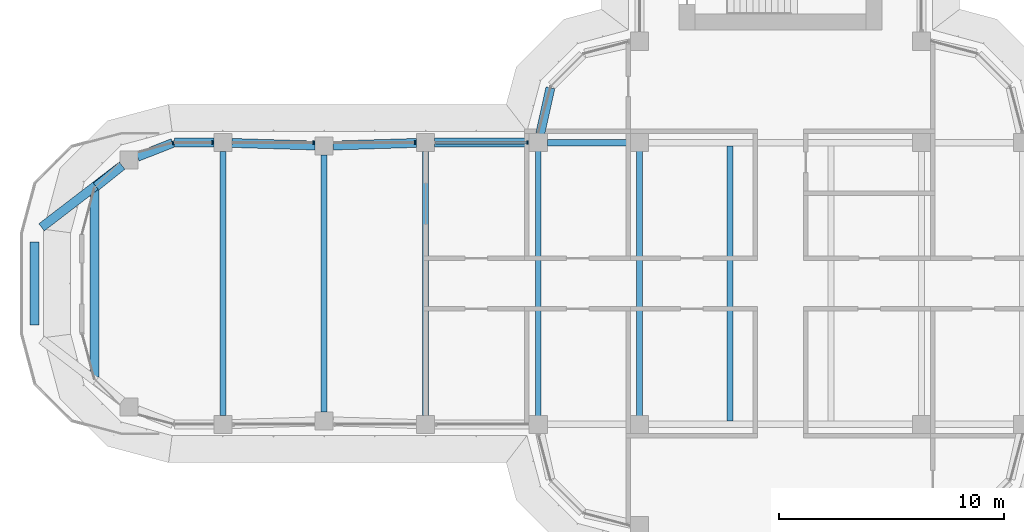
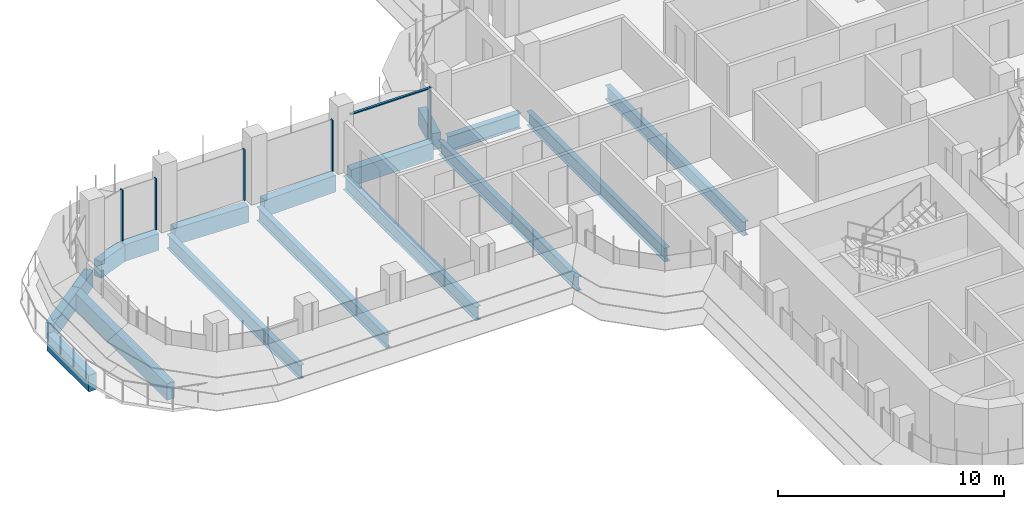
# One storey, part 6 of 20: 17 beams, 6 members, 2 elements without a shape of their own.
"""IFC4 building model written with IfcOpenShell, lengths in metres."""

import ifcopenshell
import ifcopenshell.guid

model = None  # the IFC model being written
_history = None  # IfcOwnerHistory: only IFC2X3 demands one
_inside = {}  # id of a spatial element -> (the spatial element, [elements in it])
_under = {}  # id of a project, library or spatial element -> (it, [spatial elements below it])
_declared = {}  # id of a project -> (the project, [libraries it declares])
_typed = {}  # id of a type object -> (the type object, [elements of that type])
_made_of = {}  # id of a material, layer set ... -> (it, [elements and type objects made of it])


def new_model(schema):
    """Start an empty IFC model of exactly this schema.

    Asked for "IFC4X3", IfcOpenShell would pick the latest addendum, in which some entities
    have other attributes; the version numbers below select the first issue.
    IFC2X3 requires an IfcOwnerHistory on every rooted entity: one is made here for all.
    """
    global model, _history
    if schema == "IFC4X3":
        model = ifcopenshell.file(schema_version=(4, 3, 0, 0))
    else:
        model = ifcopenshell.file(schema=schema)
    _inside.clear()
    _under.clear()
    _declared.clear()
    _typed.clear()
    _made_of.clear()
    _history = None
    if model.schema == "IFC2X3":
        org = make("IfcOrganization", Name="unknown")
        user = make(
            "IfcPersonAndOrganization",
            ThePerson=make("IfcPerson", FamilyName="unknown"),
            TheOrganization=org,
        )
        app = make(
            "IfcApplication",
            ApplicationDeveloper=org,
            Version="unknown",
            ApplicationFullName="unknown",
            ApplicationIdentifier="unknown",
        )
        _history = make(
            "IfcOwnerHistory",
            OwningUser=user,
            OwningApplication=app,
            ChangeAction="ADDED",
            CreationDate=0,
        )
    return model


def make(cls, **values):
    """One entity of the class cls with the attributes given. An attribute that is None is left unset."""
    return model.create_entity(
        cls, **{name: value for name, value in values.items() if value is not None}
    )


def rooted(cls, **values):
    """An entity with a GlobalId (a new one), such as an element, a storey or a relation."""
    return make(cls, GlobalId=ifcopenshell.guid.new(), OwnerHistory=_history, **values)


def si_unit(unit_type, name, prefix=None):
    """IfcSIUnit, for example si_unit("LENGTHUNIT", "METRE", prefix="MILLI")."""
    return make("IfcSIUnit", UnitType=unit_type, Prefix=prefix, Name=name)


def assignment(units):
    """IfcUnitAssignment: the units of a project."""
    return None if units is None else make("IfcUnitAssignment", Units=units)


def point(xyz):
    """IfcCartesianPoint."""
    return None if xyz is None else make("IfcCartesianPoint", Coordinates=xyz)


def direction(xyz):
    """IfcDirection."""
    return None if xyz is None else make("IfcDirection", DirectionRatios=xyz)


def frame(location, z_axis=None, x_axis=None):
    """IfcAxis2Placement3D, a coordinate frame: its origin and axes. An axis left out is left unset."""
    return make(
        "IfcAxis2Placement3D",
        Location=point(location),
        Axis=direction(z_axis),
        RefDirection=direction(x_axis),
    )


def frame_2d(location, x_axis=None):
    """IfcAxis2Placement2D, a coordinate frame in the plane: its origin and x axis."""
    return make(
        "IfcAxis2Placement2D", Location=point(location), RefDirection=direction(x_axis)
    )


def origin():
    """The frame at (0, 0, 0) with its axes left unset."""
    return frame((0.0, 0.0, 0.0))


def origin_2d():
    """The frame at (0, 0) in the plane with its x axis left unset."""
    return frame_2d((0.0, 0.0))


def place(relative_to, where):
    """IfcLocalPlacement: puts the frame where relative to a parent placement (None: the world)."""
    return make(
        "IfcLocalPlacement", PlacementRelTo=relative_to, RelativePlacement=where
    )


def context(
    kind, dimensions, precision=None, world=None, true_north=None, identifier=None
):
    """IfcGeometricRepresentationContext, for example the 3D "Model" context."""
    return make(
        "IfcGeometricRepresentationContext",
        ContextIdentifier=identifier,
        ContextType=kind,
        CoordinateSpaceDimension=dimensions,
        Precision=precision,
        WorldCoordinateSystem=world,
        TrueNorth=true_north,
    )


def subcontext(parent, identifier, kind, view, scale=None):
    """IfcGeometricRepresentationSubContext, for example "Body" below "Model"."""
    return make(
        "IfcGeometricRepresentationSubContext",
        ContextIdentifier=identifier,
        ContextType=kind,
        ParentContext=parent,
        TargetScale=scale,
        TargetView=view,
    )


def project(units=None, contexts=None):
    """IfcProject with its units and contexts."""
    return rooted(
        "IfcProject",
        Name="project",
        RepresentationContexts=contexts,
        UnitsInContext=assignment(units),
    )


def spatial(cls, under=None, at=None, **own):
    """A site, building, storey or space (cls), placed at a placement, below another one or the project."""
    s = rooted(cls, ObjectPlacement=at, **own)
    if under is not None:
        _under.setdefault(under.id(), (under, []))[1].append(s)
    return s


def polyline(points):
    """IfcPolyline through the points."""
    return make("IfcPolyline", Points=[point(p) for p in points])


def profile(cls, at=None, kind="AREA", **sizes):
    """A parametric profile (cls). Its sizes go by their IFC names, for example OverallWidth=200.0."""
    return make(cls, ProfileType=kind, Position=at, **sizes)


def rectangle(**sizes):
    """IfcRectangleProfileDef."""
    return profile("IfcRectangleProfileDef", **sizes)


def i_section(**sizes):
    """IfcIShapeProfileDef."""
    return profile("IfcIShapeProfileDef", **sizes)


def outline(outer, holes=None, kind="AREA"):
    """IfcArbitraryClosedProfileDef: a profile drawn as a closed curve; with holes, ...WithVoids."""
    if holes is None:
        return make("IfcArbitraryClosedProfileDef", ProfileType=kind, OuterCurve=outer)
    return make(
        "IfcArbitraryProfileDefWithVoids",
        ProfileType=kind,
        OuterCurve=outer,
        InnerCurves=holes,
    )


def extrude(swept, where, along, depth):
    """IfcExtrudedAreaSolid: the profile swept, set in the frame where, extruded along a direction by depth."""
    return make(
        "IfcExtrudedAreaSolid",
        SweptArea=swept,
        Position=where,
        ExtrudedDirection=direction(along),
        Depth=depth,
    )


def shape(context_of_items, identifier, shape_type, items):
    """IfcShapeRepresentation: the items that make up one representation, for example the "Body"."""
    return make(
        "IfcShapeRepresentation",
        ContextOfItems=context_of_items,
        RepresentationIdentifier=identifier,
        RepresentationType=shape_type,
        Items=items,
    )


def source(mapping_origin, context_of_items, identifier, shape_type, items):
    """IfcRepresentationMap: a shape defined once, which mapped items show again and again."""
    return make(
        "IfcRepresentationMap",
        MappingOrigin=mapping_origin,
        MappedRepresentation=shape(context_of_items, identifier, shape_type, items),
    )


def transform(
    local_origin,
    x_axis=None,
    y_axis=None,
    z_axis=None,
    scale=None,
    scale2=None,
    scale3=None,
    uniform=True,
):
    """IfcCartesianTransformationOperator3D, or its non-uniform kind. x_axis, y_axis, z_axis: its Axis1, 2, 3."""
    if uniform:
        return make(
            "IfcCartesianTransformationOperator3D",
            Axis1=direction(x_axis),
            Axis2=direction(y_axis),
            LocalOrigin=point(local_origin),
            Scale=scale,
            Axis3=direction(z_axis),
        )
    return make(
        "IfcCartesianTransformationOperator3DnonUniform",
        Axis1=direction(x_axis),
        Axis2=direction(y_axis),
        LocalOrigin=point(local_origin),
        Scale=scale,
        Axis3=direction(z_axis),
        Scale2=scale2,
        Scale3=scale3,
    )


def mapped(mapping_source, mapping_target):
    """IfcMappedItem: shows the shape of a source again, moved by a transform."""
    return make(
        "IfcMappedItem", MappingSource=mapping_source, MappingTarget=mapping_target
    )


def material(Name=None, Category=None):
    """IfcMaterial."""
    return make("IfcMaterial", Name=Name, Category=Category)


def material_profile(
    of_material, cross_section, Name=None, Category=None, Priority=None
):
    """IfcMaterialProfile: a cross section and its material."""
    return make(
        "IfcMaterialProfile",
        Name=Name,
        Material=of_material,
        Profile=cross_section,
        Priority=Priority,
        Category=Category,
    )


def profile_set(profiles, Name=None, composite=None):
    """IfcMaterialProfileSet."""
    return make(
        "IfcMaterialProfileSet",
        Name=Name,
        MaterialProfiles=profiles,
        CompositeProfile=composite,
    )


def made_of(thing, what):
    """Note that an element or type object is made of a material, layer set ...; save() writes the relation."""
    if what is not None:
        _made_of.setdefault(what.id(), (what, []))[1].append(thing)
    return thing


def type_object(cls, material=None, **own):
    """A type object (cls), such as IfcWallType, which elements share."""
    return made_of(rooted(cls, **own), material)


def element(
    cls,
    number,
    at=None,
    inside=None,
    cuts=None,
    type_object=None,
    material=None,
    context=None,
    identifier="Body",
    shape_type=None,
    held_by="IfcProductDefinitionShape",
    body=None,
    shapes=None,
    **own,
):
    """One element of the class cls, such as IfcWall. Its Tag is "e" and its number.

    at: its placement. inside: the storey or other place that contains it. cuts: it is an
    opening in that element (IfcRelVoidsElement). A single representation is given by context,
    identifier, shape_type and body (its items); several are given by shapes. held_by: the class
    of the entity that holds the representations. save() writes the other relations.
    """
    e = rooted(cls, Tag="e%d" % number, ObjectPlacement=at, **own)
    if body is not None:
        shapes = [shape(context, identifier, shape_type, body)]
    if shapes is not None:
        e.Representation = make(held_by, Representations=shapes)
    if inside is not None:
        _inside.setdefault(inside.id(), (inside, []))[1].append(e)
    if cuts is not None:
        rooted(
            "IfcRelVoidsElement", RelatingBuildingElement=cuts, RelatedOpeningElement=e
        )
    if type_object is not None:
        _typed.setdefault(type_object.id(), (type_object, []))[1].append(e)
    return made_of(e, material)


def aggregate(whole, parts):
    """IfcRelAggregates: a whole, such as a stair, and the parts it consists of."""
    return rooted("IfcRelAggregates", RelatingObject=whole, RelatedObjects=parts)


def save(model, path):
    """Write the relations noted so far, then the file.

    IfcRelAggregates (storeys below a building ...), IfcRelContainedInSpatialStructure (elements
    in a storey), IfcRelDefinesByType, IfcRelAssociatesMaterial and IfcRelDeclares: one each for
    every whole, place, type object, material and project.
    """
    for whole, parts in _under.values():
        aggregate(whole, parts)
    for where, things in _inside.values():
        rooted(
            "IfcRelContainedInSpatialStructure",
            RelatedElements=things,
            RelatingStructure=where,
        )
    for kind, things in _typed.values():
        rooted("IfcRelDefinesByType", RelatedObjects=things, RelatingType=kind)
    for what, things in _made_of.values():
        rooted("IfcRelAssociatesMaterial", RelatedObjects=things, RelatingMaterial=what)
    for by, libraries in _declared.values():
        rooted("IfcRelDeclares", RelatingContext=by, RelatedDefinitions=libraries)
    model.write(path)


model = new_model("IFC4")

# Units and contexts
model_context = context("Model", 3, precision=1e-05, world=origin(), true_north=direction((0.0, 1.0)))
body_context = subcontext(model_context, "Body", "Model", "MODEL_VIEW")
ifc_project = project(units=[si_unit("LENGTHUNIT", "METRE"), si_unit("AREAUNIT", "SQUARE_METRE"), si_unit("VOLUMEUNIT", "CUBIC_METRE"), si_unit("PLANEANGLEUNIT", "RADIAN"), si_unit("MASSUNIT", "GRAM", prefix="KILO")], contexts=[model_context])

# Site, building, storey
site_placement = place(None, origin())
site = spatial("IfcSite", under=ifc_project, at=site_placement, CompositionType="ELEMENT")
building_placement = place(site_placement, origin())
building = spatial("IfcBuilding", under=site, at=building_placement, Name="Zarbagh Exchange Tower", CompositionType="ELEMENT")
storey_placement = place(building_placement, frame((0.0, 0.0, 186.60009765625)))
storey = spatial("IfcBuildingStorey", under=building, at=storey_placement, Name="L45", CompositionType="ELEMENT", Elevation=186.60009765625)

# Beams
ifc_material_1 = material(Name="Steel ASTM A992 Gr 50", Category="steel")
ifc_material_profile_1 = material_profile(ifc_material_1, i_section(OverallWidth=0.26416015625, OverallDepth=0.749267578125, WebThickness=0.011962890625, FlangeThickness=0.015380859375, at=origin_2d()), Name="W30X90")
ifc_profile_set_1 = profile_set([ifc_material_profile_1], Name="Steel ASTM A992 Gr 50")
beam_type_1 = type_object("IfcBeamType", Name="Floor beam W30X90", PredefinedType="BEAM", material=ifc_profile_set_1)
for number, where, z_axis, x_axis, name in (
    (1, (-10.75, -6.10400390625, -0.524658203125), (0.0, 1.0, 0.0), (-1.0, 0.0, 0.0), "Steel floor beam"),
    (2, (-6.25, -6.10400390625, -0.524658203125), (0.0, 1.0, 0.0), (-1.0, 0.0, 0.0), "Steel floor beam"),
    (3, (-2.25, -6.10400390625, -0.524658203125), (0.0, 1.0, 0.0), (-1.0, 0.0, 0.0), "Steel floor beam"),
):
    element("IfcBeam", number, at=place(storey_placement, frame(where, z_axis=z_axis, x_axis=x_axis)), inside=storey, type_object=beam_type_1, Name=name, PredefinedType="BEAM", context=body_context, shape_type="SweptSolid", body=[
        extrude(i_section(OverallWidth=0.26416015625, OverallDepth=0.749267578125, WebThickness=0.011962890625, FlangeThickness=0.015380859375, at=origin_2d()), origin(), (0.0, 0.0, 1.0), 12.2080078125),
    ])
beam_1_placement = place(storey_placement, frame((-15.75, -5.85009765625, -0.524658203125), z_axis=(0.0, 1.0, 0.0), x_axis=(-1.0, 0.0, 0.0)))
element("IfcBeam", 4, at=beam_1_placement, inside=storey, type_object=beam_type_1, Name="Steel floor beam", PredefinedType="BEAM", context=body_context, shape_type="SweptSolid", body=[
    extrude(i_section(OverallWidth=0.26416015625, OverallDepth=0.749267578125, WebThickness=0.011962890625, FlangeThickness=0.015380859375, at=origin_2d()), origin(), (0.0, 0.0, 1.0), 11.7001953125),
])
beam_2_placement = place(storey_placement, frame((-20.25, -5.7099609375, -0.524658203125), z_axis=(0.0, 1.0, 0.0), x_axis=(-1.0, 0.0, 0.0)))
element("IfcBeam", 5, at=beam_2_placement, inside=storey, type_object=beam_type_1, Name="Steel floor beam", PredefinedType="BEAM", context=body_context, shape_type="SweptSolid", body=[
    extrude(i_section(OverallWidth=0.26416015625, OverallDepth=0.749267578125, WebThickness=0.011962890625, FlangeThickness=0.015380859375, at=origin_2d()), origin(), (0.0, 0.0, 1.0), 11.419921875),
])
beam_3_placement = place(storey_placement, frame((-24.75, -5.85009765625, -0.524658203125), z_axis=(0.0, 1.0, 0.0), x_axis=(-1.0, 0.0, 0.0)))
element("IfcBeam", 6, at=beam_3_placement, inside=storey, type_object=beam_type_1, Name="Steel floor beam", PredefinedType="BEAM", context=body_context, shape_type="SweptSolid", body=[
    extrude(i_section(OverallWidth=0.26416015625, OverallDepth=0.749267578125, WebThickness=0.011962890625, FlangeThickness=0.015380859375, at=origin_2d()), origin(), (0.0, 0.0, 1.0), 11.7001953125),
])
ifc_material_profile_2 = material_profile(ifc_material_1, i_section(OverallWidth=0.2919921875, OverallDepth=0.835693359375, WebThickness=0.013916015625, FlangeThickness=0.018798828125, at=origin_2d()), Name="W33X118")
ifc_profile_set_2 = profile_set([ifc_material_profile_2], Name="Steel ASTM A992 Gr 50")
beam_type_2 = type_object("IfcBeamType", Name="Floor girder W33X118", PredefinedType="BEAM", material=ifc_profile_set_2)
beam_4_placement = place(storey_placement, frame((-10.35009765625, 6.25, -0.56787109375), z_axis=(1.0, 0.0, 0.0), x_axis=(0.0, 1.0, 0.0)))
element("IfcBeam", 7, at=beam_4_placement, inside=storey, type_object=beam_type_2, Name="Steel girder", PredefinedType="BEAM", context=body_context, shape_type="SweptSolid", body=[
    extrude(i_section(OverallWidth=0.2919921875, OverallDepth=0.835693359375, WebThickness=0.013916015625, FlangeThickness=0.018798828125, at=origin_2d()), origin(), (0.0, 0.0, 1.0), 3.7001953125),
])
ifc_material_2 = material(Name="Concrete C50/60", Category="concrete")
ifc_material_profile_3 = material_profile(ifc_material_2, rectangle(XDim=0.39990234375, YDim=0.89990234375, at=origin_2d()), Name="RC spandrel beam 400 x 900 C50/60")
ifc_profile_set_3 = profile_set([ifc_material_profile_3], Name="Concrete C50/60")
beam_type_3 = type_object("IfcBeamType", Name="RC spandrel beam 400 x 900 C50/60", PredefinedType="SPANDREL", material=ifc_profile_set_3)
beam_5_placement = place(storey_placement, frame((-30.44873046875, -4.14501953125, -0.60009765625), z_axis=(0.0, 1.0, 0.0), x_axis=(-1.0, 0.0, 0.0)))
element("IfcBeam", 8, at=beam_5_placement, inside=storey, type_object=beam_type_3, Name="RC spandrel beam", PredefinedType="SPANDREL", context=body_context, shape_type="SweptSolid", body=[
    extrude(rectangle(XDim=0.39990234375, YDim=0.89990234375, at=origin_2d()), origin(), (0.0, 0.0, 1.0), 8.2900390625),
])
beam_6_placement = place(storey_placement, frame((-30.373779296875, 4.30126953125, -0.60009765625), z_axis=(0.780546373788, 0.625097879029, 0.0), x_axis=(-0.625097879029, 0.780546373788, 0.0)))
element("IfcBeam", 9, at=beam_6_placement, inside=storey, type_object=beam_type_3, Name="RC spandrel beam", PredefinedType="SPANDREL", context=body_context, shape_type="SweptSolid", body=[
    extrude(rectangle(XDim=0.39990234375, YDim=0.89990234375, at=origin_2d()), origin(), (0.0, 0.0, 1.0), 1.477783203125),
])
beam_7_placement = place(storey_placement, frame((-28.53564453125, 5.62109375, -0.60009765625), z_axis=(0.930809681556, 0.365504222578, 0.0), x_axis=(-0.365504222578, 0.930809681556, 0.0)))
element("IfcBeam", 10, at=beam_7_placement, inside=storey, type_object=beam_type_3, Name="RC spandrel beam", PredefinedType="SPANDREL", context=body_context, shape_type="SweptSolid", body=[
    extrude(rectangle(XDim=0.39990234375, YDim=0.89990234375, at=origin_2d()), origin(), (0.0, 0.0, 1.0), 1.6826171875),
])
beam_8_placement = place(storey_placement, frame((-26.896240234375, 6.25, -0.60009765625), z_axis=(1.0, 0.0, 0.0), x_axis=(0.0, 1.0, 0.0)))
element("IfcBeam", 11, at=beam_8_placement, inside=storey, type_object=beam_type_3, Name="RC spandrel beam", PredefinedType="SPANDREL", context=body_context, shape_type="SweptSolid", body=[
    extrude(rectangle(XDim=0.39990234375, YDim=0.89990234375, at=origin_2d()), origin(), (0.0, 0.0, 1.0), 1.746337890625),
])
for number, where, z_axis, x_axis, name in (
    (12, (-24.35009765625, 6.237548828125, -0.60009765625), (0.999515416033, -0.031127690444, 0.0), (0.031127690444, 0.999515416033, 0.0), "RC spandrel beam"),
    (13, (-19.85009765625, 6.122314453125, -0.60009765625), (0.999515416033, 0.031127690444, 0.0), (-0.031127690444, 0.999515416033, 0.0), "RC spandrel beam"),
):
    element("IfcBeam", number, at=place(storey_placement, frame(where, z_axis=z_axis, x_axis=x_axis)), inside=storey, type_object=beam_type_3, Name=name, PredefinedType="SPANDREL", context=body_context, shape_type="SweptSolid", body=[
        extrude(rectangle(XDim=0.39990234375, YDim=0.89990234375, at=origin_2d()), origin(), (0.0, 0.0, 1.0), 3.701904296875),
    ])
beam_9_placement = place(storey_placement, frame((-15.35009765625, 6.25, -0.60009765625), z_axis=(1.0, 0.0, 0.0), x_axis=(0.0, 1.0, 0.0)))
element("IfcBeam", 14, at=beam_9_placement, inside=storey, type_object=beam_type_3, Name="RC spandrel beam", PredefinedType="SPANDREL", context=body_context, shape_type="SweptSolid", body=[
    extrude(rectangle(XDim=0.39990234375, YDim=0.89990234375, at=origin_2d()), origin(), (0.0, 0.0, 1.0), 4.2001953125),
])
beam_10_placement = place(storey_placement, frame((-10.66357421875, 6.640625, -0.60009765625), z_axis=(0.216041061437, 0.976384278741, 0.0), x_axis=(-0.976384278741, 0.216041061437, 0.0)))
element("IfcBeam", 15, at=beam_10_placement, inside=storey, type_object=beam_type_3, Name="RC spandrel beam", PredefinedType="SPANDREL", context=body_context, shape_type="SweptSolid", body=[
    extrude(rectangle(XDim=0.39990234375, YDim=0.89990234375, at=origin_2d()), origin(), (0.0, 0.0, 1.0), 2.0927734375),
])
beam_11_placement = place(storey_placement, frame((-33.110107421875, -1.85009765625, -0.60009765625), z_axis=(0.0, 1.0, 0.0), x_axis=(-1.0, 0.0, 0.0)))
element("IfcBeam", 16, at=beam_11_placement, inside=storey, type_object=beam_type_3, Name="RC spandrel beam", PredefinedType="SPANDREL", context=body_context, shape_type="SweptSolid", body=[
    extrude(rectangle(XDim=0.39990234375, YDim=0.89990234375, at=origin_2d()), origin(), (0.0, 0.0, 1.0), 3.7001953125),
])
beam_12_placement = place(storey_placement, frame((-32.792724609375, 2.493408203125, -0.60009765625), z_axis=(0.793279445536, 0.608857718429, 0.0), x_axis=(-0.608857718429, 0.793279445536, 0.0)))
element("IfcBeam", 17, at=beam_12_placement, inside=storey, type_object=beam_type_3, Name="RC spandrel beam", PredefinedType="SPANDREL", context=body_context, shape_type="SweptSolid", body=[
    extrude(rectangle(XDim=0.39990234375, YDim=0.89990234375, at=origin_2d()), origin(), (0.0, 0.0, 1.0), 4.4970703125),
])

# Curtain wall, members
ifc_material_3 = material(Name="Anodised aluminium frame and glazing", Category="aluminium")
curtain_wall_type = type_object("IfcCurtainWallType", Name="CWB Ribbon glazing, upper zones", PredefinedType="NOTDEFINED", material=ifc_material_3)
curtain_wall_1_placement = place(storey_placement, origin())
curtain_wall_1 = element("IfcCurtainWall", 18, at=curtain_wall_1_placement, inside=storey, type_object=curtain_wall_type, Name="CWB58 curtain wall", PredefinedType="NOTDEFINED")
ifc_material_4 = material(Name="Anodised aluminium frame", Category="aluminium")
member_type_1 = type_object("IfcMemberType", Name="MUB Mullion, anodised aluminium frame", PredefinedType="MULLION", material=ifc_material_4)
shared_shape_1 = source(origin(), body_context, "Body", "SweptSolid", [
    extrude(outline(polyline([(0.0, -0.080078125), (0.06005859375, -0.080078125), (0.06005859375, 0.080078125), (0.0, 0.080078125), (0.0, -0.080078125)])), origin(), (0.0, 0.0, 1.0), 2.75),
])
placement = place(storey_placement, origin())
member_1 = element("IfcMember", 19, at=placement, type_object=member_type_1, Name="CWB58 mullion 1.1", PredefinedType="MULLION", context=body_context, shape_type="MappedRepresentation", body=[
    mapped(shared_shape_1, transform((-11.18994140625, 6.25, 0.0), x_axis=(-1.0, 0.0, 0.0), y_axis=(0.0, -1.0, 0.0), z_axis=(0.0, 0.0, 1.0))),
])
member_2 = element("IfcMember", 20, at=placement, type_object=member_type_1, Name="CWB58 mullion 2.1", PredefinedType="MULLION", context=body_context, shape_type="MappedRepresentation", body=[
    mapped(shared_shape_1, transform((-16.18994140625, 6.25, 0.0), x_axis=(-1.0, 0.0, 0.0), y_axis=(0.0, -1.0, 0.0), z_axis=(0.0, 0.0, 1.0))),
])
member_3 = element("IfcMember", 21, at=placement, type_object=member_type_1, Name="CWB58 mullion 3.1", PredefinedType="MULLION", context=body_context, shape_type="MappedRepresentation", body=[
    mapped(shared_shape_1, transform((-20.68994140625, 6.25, 0.0), x_axis=(-1.0, 0.0, 0.0), y_axis=(0.0, -1.0, 0.0), z_axis=(0.0, 0.0, 1.0))),
])
member_4 = element("IfcMember", 22, at=placement, type_object=member_type_1, Name="CWB58 mullion 4.1", PredefinedType="MULLION", context=body_context, shape_type="MappedRepresentation", body=[
    mapped(shared_shape_1, transform((-25.18994140625, 6.25, 0.0), x_axis=(-1.0, 0.0, 0.0), y_axis=(0.0, -1.0, 0.0), z_axis=(0.0, 0.0, 1.0))),
])

# Curtain wall, member
curtain_wall_2_placement = place(storey_placement, origin())
curtain_wall_2 = element("IfcCurtainWall", 23, at=curtain_wall_2_placement, inside=storey, type_object=curtain_wall_type, Name="CWB59 curtain wall", PredefinedType="NOTDEFINED")
member_5 = element("IfcMember", 24, at=placement, type_object=member_type_1, Name="CWB59 mullion 1.1", PredefinedType="MULLION", context=body_context, shape_type="MappedRepresentation", body=[
    mapped(shared_shape_1, transform((-26.93408203125, 6.25, 0.0), x_axis=(-0.965924289636, -0.258824779902, 0.0), y_axis=(0.258824779902, -0.965924289636, 0.0), z_axis=(0.0, 0.0, 1.0))),
])
aggregate(curtain_wall_2, [member_5])

# Member
member_type_2 = type_object("IfcMemberType", Name="TRB Transom, anodised aluminium frame", PredefinedType="USERDEFINED", material=ifc_material_4)
shared_shape_2 = source(origin(), body_context, "Body", "SweptSolid", [
    extrude(outline(polyline([(-0.06005859375, -0.06005859375), (0.0, -0.06005859375), (0.0, 0.06005859375), (-0.06005859375, 0.06005859375), (-0.06005859375, -0.06005859375)])), origin(), (0.0, 0.0, 1.0), 4.06005859375),
])
member_6 = element("IfcMember", 25, at=placement, type_object=member_type_2, Name="CWB58 transom 1.1", ObjectType="TRANSOM", PredefinedType="USERDEFINED", context=body_context, shape_type="MappedRepresentation", body=[
    mapped(shared_shape_2, transform((-11.25, 6.25, 2.75), x_axis=(0.0, 0.0, 1.0), y_axis=(0.0, 1.0, 0.0), z_axis=(-1.0, 0.0, 0.0))),
])

aggregate(curtain_wall_1, [member_1, member_6, member_2, member_3, member_4])

save(model, "model.ifc")
